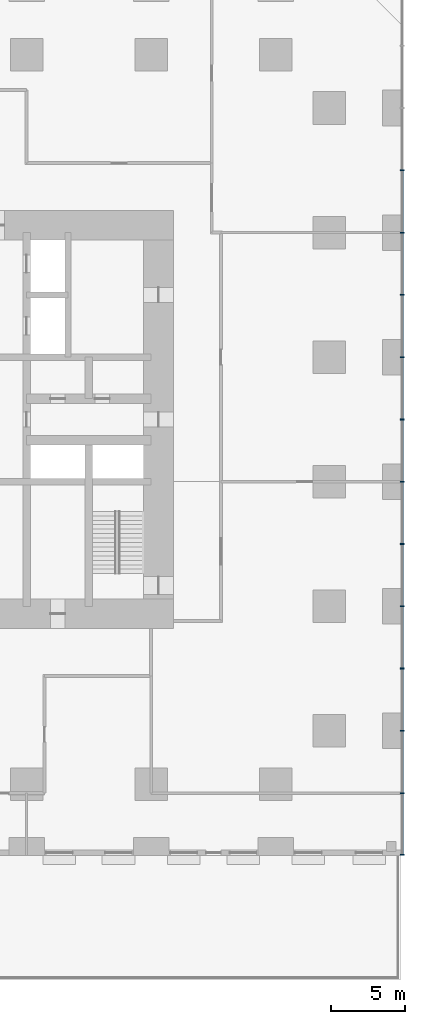
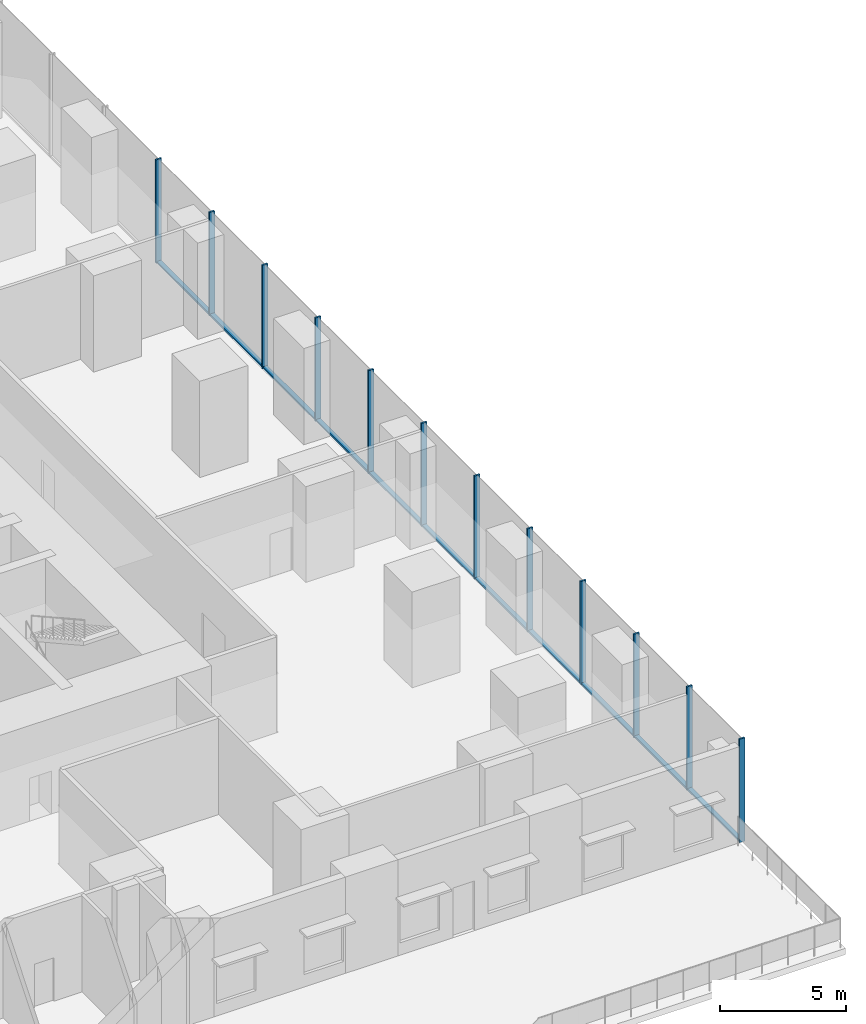
# One storey, part 8 of 18: 23 members, 1 element without a shape of its own.
"""IFC4 building model written with IfcOpenShell, lengths in metres."""

from ifc_helpers import new_model, si_unit, direction, frame, origin, origin_2d, place, context, subcontext, project, spatial, rectangle, extrude, material, material_profile, profile_set, type_object, element, aggregate, save


model = new_model("IFC4")

# Units and contexts
model_context = context("Model", 3, precision=1e-05, world=origin(), true_north=direction((0.0, 1.0)))
body_context = subcontext(model_context, "Body", "Model", "MODEL_VIEW")
ifc_project = project(units=[si_unit("LENGTHUNIT", "METRE"), si_unit("AREAUNIT", "SQUARE_METRE"), si_unit("VOLUMEUNIT", "CUBIC_METRE"), si_unit("PLANEANGLEUNIT", "RADIAN"), si_unit("MASSUNIT", "GRAM", prefix="KILO")], contexts=[model_context])

# Site, building, storey
site_placement = place(None, origin())
site = spatial("IfcSite", under=ifc_project, at=site_placement, CompositionType="ELEMENT")
building_placement = place(site_placement, origin())
building = spatial("IfcBuilding", under=site, at=building_placement, Name="Dunama Terrace Hotel", CompositionType="ELEMENT")
storey_placement = place(building_placement, frame((0.0, 0.0, 17.0)))
storey = spatial("IfcBuildingStorey", under=building, at=storey_placement, Name="L03", CompositionType="ELEMENT", Elevation=17.0)

# Curtain wall, members
ifc_material_1 = material(Name="Aluminium curtain wall system", Category="aluminium")
curtain_wall_type = type_object("IfcCurtainWallType", Name="Podium storefront glazing CW-E", PredefinedType="NOTDEFINED", material=ifc_material_1)
curtain_wall_placement = place(storey_placement, origin())
curtain_wall = element("IfcCurtainWall", 1, at=curtain_wall_placement, inside=storey, type_object=curtain_wall_type, Name="Podium storefront glazing CW-E L03", PredefinedType="NOTDEFINED")
ifc_material_2 = material(Name="Aluminium mullion", Category="aluminium")
ifc_material_profile_1 = material_profile(ifc_material_2, rectangle(XDim=0.080078125, YDim=0.25, at=origin_2d()), Name="CWE MULLION 80X250")
ifc_profile_set_1 = profile_set([ifc_material_profile_1], Name="Aluminium mullion")
member_type_1 = type_object("IfcMemberType", Name="CWE mullion 80x250", PredefinedType="MULLION", material=ifc_profile_set_1)
member_1_placement = place(storey_placement, frame((58.925048828125, 0.0400390625, 0.0), z_axis=(0.0, 0.0, 1.0), x_axis=(0.0, 1.0, 0.0)))
member_1 = element("IfcMember", 2, at=member_1_placement, type_object=member_type_1, Name="CWE mullion", PredefinedType="MULLION", context=body_context, shape_type="SweptSolid", body=[
    extrude(rectangle(XDim=0.080078125, YDim=0.25, at=origin_2d()), origin(), (0.0, 0.0, 1.0), 5.0),
])
member_2_placement = place(storey_placement, frame((58.925048828125, 4.199951171875, 0.0), z_axis=(0.0, 0.0, 1.0), x_axis=(0.0, 1.0, 0.0)))
member_2 = element("IfcMember", 3, at=member_2_placement, type_object=member_type_1, Name="CWE mullion", PredefinedType="MULLION", context=body_context, shape_type="SweptSolid", body=[
    extrude(rectangle(XDim=0.080078125, YDim=0.25, at=origin_2d()), origin(), (0.0, 0.0, 1.0), 5.0),
])
member_3_placement = place(storey_placement, frame((58.925048828125, 8.39990234375, 0.0), z_axis=(0.0, 0.0, 1.0), x_axis=(0.0, 1.0, 0.0)))
member_3 = element("IfcMember", 4, at=member_3_placement, type_object=member_type_1, Name="CWE mullion", PredefinedType="MULLION", context=body_context, shape_type="SweptSolid", body=[
    extrude(rectangle(XDim=0.080078125, YDim=0.25, at=origin_2d()), origin(), (0.0, 0.0, 1.0), 5.0),
])
member_4_placement = place(storey_placement, frame((58.925048828125, 12.60009765625, 0.0), z_axis=(0.0, 0.0, 1.0), x_axis=(0.0, 1.0, 0.0)))
member_4 = element("IfcMember", 5, at=member_4_placement, type_object=member_type_1, Name="CWE mullion", PredefinedType="MULLION", context=body_context, shape_type="SweptSolid", body=[
    extrude(rectangle(XDim=0.080078125, YDim=0.25, at=origin_2d()), origin(), (0.0, 0.0, 1.0), 5.0),
])
member_5_placement = place(storey_placement, frame((58.925048828125, 16.800048828125, 0.0), z_axis=(0.0, 0.0, 1.0), x_axis=(0.0, 1.0, 0.0)))
member_5 = element("IfcMember", 6, at=member_5_placement, type_object=member_type_1, Name="CWE mullion", PredefinedType="MULLION", context=body_context, shape_type="SweptSolid", body=[
    extrude(rectangle(XDim=0.080078125, YDim=0.25, at=origin_2d()), origin(), (0.0, 0.0, 1.0), 5.0),
])
member_6_placement = place(storey_placement, frame((58.925048828125, 21.0, 0.0), z_axis=(0.0, 0.0, 1.0), x_axis=(0.0, 1.0, 0.0)))
member_6 = element("IfcMember", 7, at=member_6_placement, type_object=member_type_1, Name="CWE mullion", PredefinedType="MULLION", context=body_context, shape_type="SweptSolid", body=[
    extrude(rectangle(XDim=0.080078125, YDim=0.25, at=origin_2d()), origin(), (0.0, 0.0, 1.0), 5.0),
])
member_7_placement = place(storey_placement, frame((58.925048828125, 25.199951171875, 0.0), z_axis=(0.0, 0.0, 1.0), x_axis=(0.0, 1.0, 0.0)))
member_7 = element("IfcMember", 8, at=member_7_placement, type_object=member_type_1, Name="CWE mullion", PredefinedType="MULLION", context=body_context, shape_type="SweptSolid", body=[
    extrude(rectangle(XDim=0.080078125, YDim=0.25, at=origin_2d()), origin(), (0.0, 0.0, 1.0), 5.0),
])
member_8_placement = place(storey_placement, frame((58.925048828125, 29.39990234375, 0.0), z_axis=(0.0, 0.0, 1.0), x_axis=(0.0, 1.0, 0.0)))
member_8 = element("IfcMember", 9, at=member_8_placement, type_object=member_type_1, Name="CWE mullion", PredefinedType="MULLION", context=body_context, shape_type="SweptSolid", body=[
    extrude(rectangle(XDim=0.080078125, YDim=0.25, at=origin_2d()), origin(), (0.0, 0.0, 1.0), 5.0),
])
member_9_placement = place(storey_placement, frame((58.925048828125, 33.60009765625, 0.0), z_axis=(0.0, 0.0, 1.0), x_axis=(0.0, 1.0, 0.0)))
member_9 = element("IfcMember", 10, at=member_9_placement, type_object=member_type_1, Name="CWE mullion", PredefinedType="MULLION", context=body_context, shape_type="SweptSolid", body=[
    extrude(rectangle(XDim=0.080078125, YDim=0.25, at=origin_2d()), origin(), (0.0, 0.0, 1.0), 5.0),
])
member_10_placement = place(storey_placement, frame((58.925048828125, 37.800048828125, 0.0), z_axis=(0.0, 0.0, 1.0), x_axis=(0.0, 1.0, 0.0)))
member_10 = element("IfcMember", 11, at=member_10_placement, type_object=member_type_1, Name="CWE mullion", PredefinedType="MULLION", context=body_context, shape_type="SweptSolid", body=[
    extrude(rectangle(XDim=0.080078125, YDim=0.25, at=origin_2d()), origin(), (0.0, 0.0, 1.0), 5.0),
])
member_11_placement = place(storey_placement, frame((58.925048828125, 42.0, 0.0), z_axis=(0.0, 0.0, 1.0), x_axis=(0.0, 1.0, 0.0)))
member_11 = element("IfcMember", 12, at=member_11_placement, type_object=member_type_1, Name="CWE mullion", PredefinedType="MULLION", context=body_context, shape_type="SweptSolid", body=[
    extrude(rectangle(XDim=0.080078125, YDim=0.25, at=origin_2d()), origin(), (0.0, 0.0, 1.0), 5.0),
])
member_12_placement = place(storey_placement, frame((58.925048828125, 46.199951171875, 0.0), z_axis=(0.0, 0.0, 1.0), x_axis=(0.0, 1.0, 0.0)))
member_12 = element("IfcMember", 13, at=member_12_placement, type_object=member_type_1, Name="CWE mullion", PredefinedType="MULLION", context=body_context, shape_type="SweptSolid", body=[
    extrude(rectangle(XDim=0.080078125, YDim=0.25, at=origin_2d()), origin(), (0.0, 0.0, 1.0), 5.0),
])
ifc_material_3 = material(Name="Aluminium transom", Category="aluminium")
ifc_material_profile_2 = material_profile(ifc_material_3, rectangle(XDim=0.199951171875, YDim=0.090087890625, at=origin_2d()), Name="CWE TRANSOM 200X90")
ifc_profile_set_2 = profile_set([ifc_material_profile_2], Name="Aluminium transom")
member_type_2 = type_object("IfcMemberType", Name="CWE transom 200x90", PredefinedType="USERDEFINED", material=ifc_profile_set_2)
member_13_placement = place(storey_placement, frame((58.925048828125, 0.080078125, 0.044921875), z_axis=(0.0, 1.0, 0.0), x_axis=(-1.0, 0.0, 0.0)))
member_13 = element("IfcMember", 14, at=member_13_placement, type_object=member_type_2, Name="CWE transom", ObjectType="TRANSOM", PredefinedType="USERDEFINED", context=body_context, shape_type="SweptSolid", body=[
    extrude(rectangle(XDim=0.199951171875, YDim=0.090087890625, at=origin_2d()), origin(), (0.0, 0.0, 1.0), 4.079833984375),
])
member_14_placement = place(storey_placement, frame((58.925048828125, 4.239990234375, 0.044921875), z_axis=(0.0, 1.0, 0.0), x_axis=(-1.0, 0.0, 0.0)))
member_14 = element("IfcMember", 15, at=member_14_placement, type_object=member_type_2, Name="CWE transom", ObjectType="TRANSOM", PredefinedType="USERDEFINED", context=body_context, shape_type="SweptSolid", body=[
    extrude(rectangle(XDim=0.199951171875, YDim=0.090087890625, at=origin_2d()), origin(), (0.0, 0.0, 1.0), 4.1201171875),
])
member_15_placement = place(storey_placement, frame((58.925048828125, 8.43994140625, 0.044921875), z_axis=(0.0, 1.0, 0.0), x_axis=(-1.0, 0.0, 0.0)))
member_15 = element("IfcMember", 16, at=member_15_placement, type_object=member_type_2, Name="CWE transom", ObjectType="TRANSOM", PredefinedType="USERDEFINED", context=body_context, shape_type="SweptSolid", body=[
    extrude(rectangle(XDim=0.199951171875, YDim=0.090087890625, at=origin_2d()), origin(), (0.0, 0.0, 1.0), 4.1201171875),
])
member_16_placement = place(storey_placement, frame((58.925048828125, 12.639892578125, 0.044921875), z_axis=(0.0, 1.0, 0.0), x_axis=(-1.0, 0.0, 0.0)))
member_16 = element("IfcMember", 17, at=member_16_placement, type_object=member_type_2, Name="CWE transom", ObjectType="TRANSOM", PredefinedType="USERDEFINED", context=body_context, shape_type="SweptSolid", body=[
    extrude(rectangle(XDim=0.199951171875, YDim=0.090087890625, at=origin_2d()), origin(), (0.0, 0.0, 1.0), 4.1201171875),
])
member_17_placement = place(storey_placement, frame((58.925048828125, 16.840087890625, 0.044921875), z_axis=(0.0, 1.0, 0.0), x_axis=(-1.0, 0.0, 0.0)))
member_17 = element("IfcMember", 18, at=member_17_placement, type_object=member_type_2, Name="CWE transom", ObjectType="TRANSOM", PredefinedType="USERDEFINED", context=body_context, shape_type="SweptSolid", body=[
    extrude(rectangle(XDim=0.199951171875, YDim=0.090087890625, at=origin_2d()), origin(), (0.0, 0.0, 1.0), 4.119873046875),
])
member_18_placement = place(storey_placement, frame((58.925048828125, 21.0400390625, 0.044921875), z_axis=(0.0, 1.0, 0.0), x_axis=(-1.0, 0.0, 0.0)))
member_18 = element("IfcMember", 19, at=member_18_placement, type_object=member_type_2, Name="CWE transom", ObjectType="TRANSOM", PredefinedType="USERDEFINED", context=body_context, shape_type="SweptSolid", body=[
    extrude(rectangle(XDim=0.199951171875, YDim=0.090087890625, at=origin_2d()), origin(), (0.0, 0.0, 1.0), 4.119873046875),
])
member_19_placement = place(storey_placement, frame((58.925048828125, 25.239990234375, 0.044921875), z_axis=(0.0, 1.0, 0.0), x_axis=(-1.0, 0.0, 0.0)))
member_19 = element("IfcMember", 20, at=member_19_placement, type_object=member_type_2, Name="CWE transom", ObjectType="TRANSOM", PredefinedType="USERDEFINED", context=body_context, shape_type="SweptSolid", body=[
    extrude(rectangle(XDim=0.199951171875, YDim=0.090087890625, at=origin_2d()), origin(), (0.0, 0.0, 1.0), 4.1201171875),
])
member_20_placement = place(storey_placement, frame((58.925048828125, 29.43994140625, 0.044921875), z_axis=(0.0, 1.0, 0.0), x_axis=(-1.0, 0.0, 0.0)))
member_20 = element("IfcMember", 21, at=member_20_placement, type_object=member_type_2, Name="CWE transom", ObjectType="TRANSOM", PredefinedType="USERDEFINED", context=body_context, shape_type="SweptSolid", body=[
    extrude(rectangle(XDim=0.199951171875, YDim=0.090087890625, at=origin_2d()), origin(), (0.0, 0.0, 1.0), 4.1201171875),
])
member_21_placement = place(storey_placement, frame((58.925048828125, 33.639892578125, 0.044921875), z_axis=(0.0, 1.0, 0.0), x_axis=(-1.0, 0.0, 0.0)))
member_21 = element("IfcMember", 22, at=member_21_placement, type_object=member_type_2, Name="CWE transom", ObjectType="TRANSOM", PredefinedType="USERDEFINED", context=body_context, shape_type="SweptSolid", body=[
    extrude(rectangle(XDim=0.199951171875, YDim=0.090087890625, at=origin_2d()), origin(), (0.0, 0.0, 1.0), 4.1201171875),
])
member_22_placement = place(storey_placement, frame((58.925048828125, 37.840087890625, 0.044921875), z_axis=(0.0, 1.0, 0.0), x_axis=(-1.0, 0.0, 0.0)))
member_22 = element("IfcMember", 23, at=member_22_placement, type_object=member_type_2, Name="CWE transom", ObjectType="TRANSOM", PredefinedType="USERDEFINED", context=body_context, shape_type="SweptSolid", body=[
    extrude(rectangle(XDim=0.199951171875, YDim=0.090087890625, at=origin_2d()), origin(), (0.0, 0.0, 1.0), 4.119873046875),
])
member_23_placement = place(storey_placement, frame((58.925048828125, 42.0400390625, 0.044921875), z_axis=(0.0, 1.0, 0.0), x_axis=(-1.0, 0.0, 0.0)))
member_23 = element("IfcMember", 24, at=member_23_placement, type_object=member_type_2, Name="CWE transom", ObjectType="TRANSOM", PredefinedType="USERDEFINED", context=body_context, shape_type="SweptSolid", body=[
    extrude(rectangle(XDim=0.199951171875, YDim=0.090087890625, at=origin_2d()), origin(), (0.0, 0.0, 1.0), 4.119873046875),
])
aggregate(curtain_wall, [member_1, member_2, member_3, member_4, member_5, member_6, member_7, member_8, member_9, member_10, member_11, member_12, member_13, member_14, member_15, member_16, member_17, member_18, member_19, member_20, member_21, member_22, member_23])

save(model, "model.ifc")
